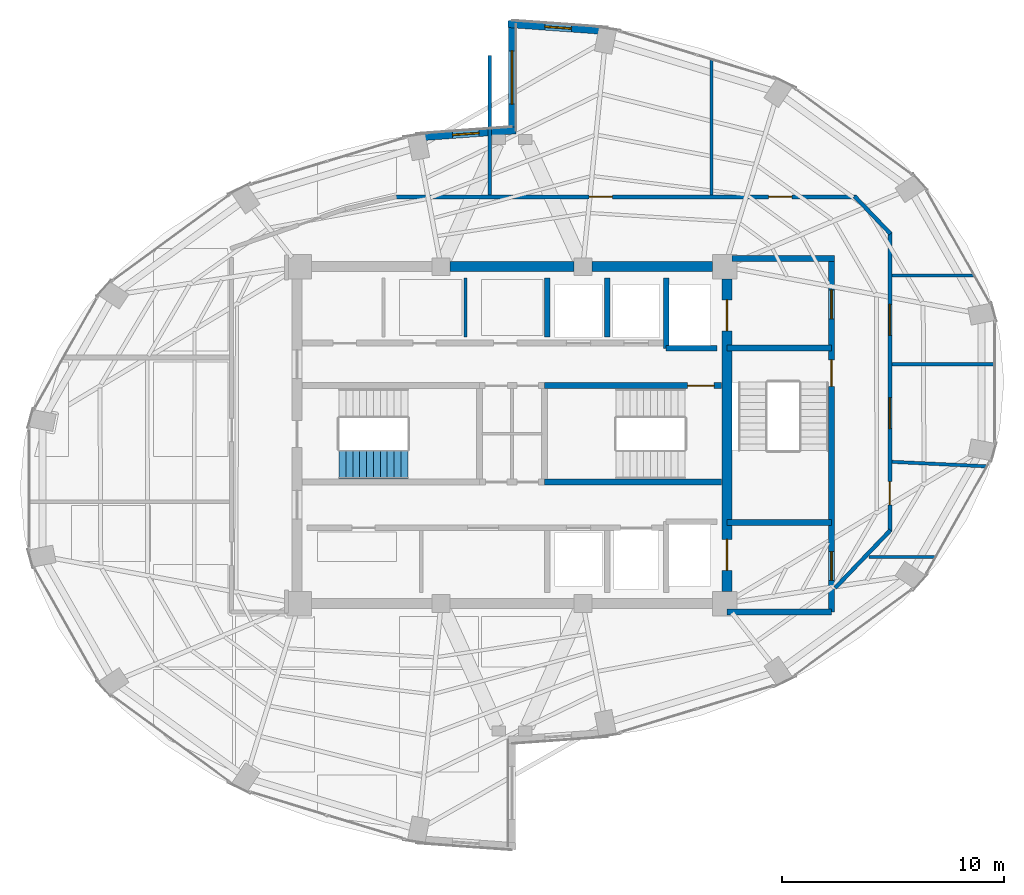
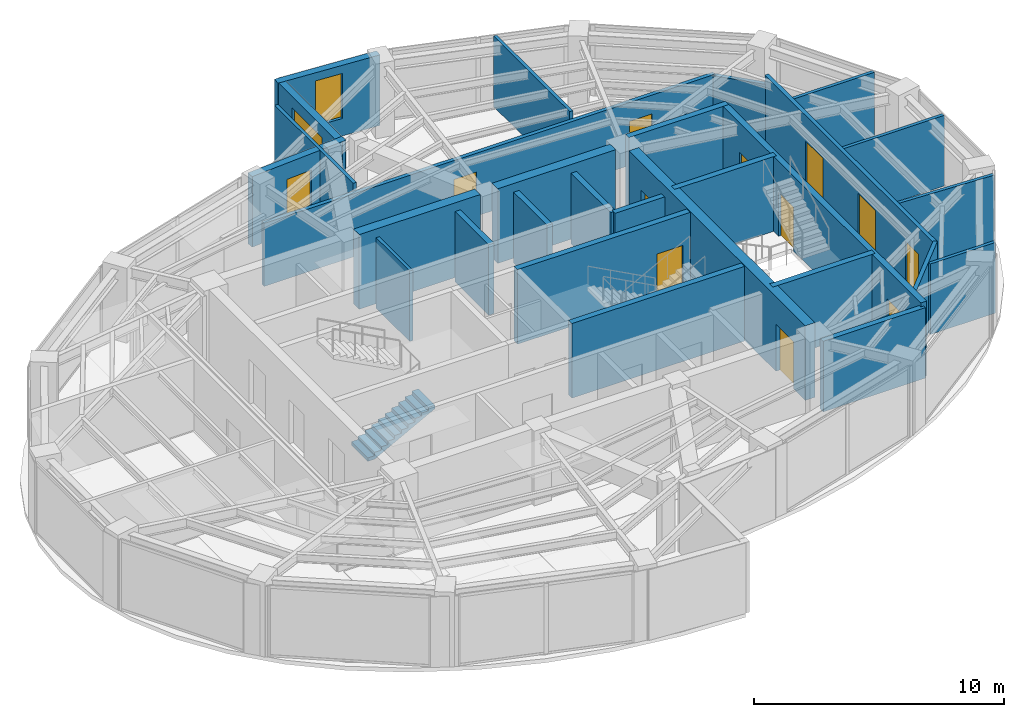
# One storey, part 20 of 23: 28 walls, 11 doors, 3 windows, 1 stair flight, 14 openings, 1 element without a shape of its own.
"""IFC4 building model written with IfcOpenShell, lengths in metres."""

from ifc_helpers import new_model, si_unit, direction, frame, frame_2d, origin, place, context, subcontext, project, spatial, polyline, rectangle, outline, extrude, material, layer, layer_set, type_object, element, fill, aggregate, save


model = new_model("IFC4")

# Units and contexts
model_context = context("Model", 3, precision=1e-05, world=origin(), true_north=direction((0.0, 1.0)))
body_context = subcontext(model_context, "Body", "Model", "MODEL_VIEW")
ifc_project = project(units=[si_unit("LENGTHUNIT", "METRE"), si_unit("AREAUNIT", "SQUARE_METRE"), si_unit("VOLUMEUNIT", "CUBIC_METRE"), si_unit("PLANEANGLEUNIT", "RADIAN"), si_unit("MASSUNIT", "GRAM", prefix="KILO")], contexts=[model_context])

# Site, building, storey
site_placement = place(None, origin())
site = spatial("IfcSite", under=ifc_project, at=site_placement, CompositionType="ELEMENT")
building_placement = place(site_placement, origin())
building = spatial("IfcBuilding", under=site, at=building_placement, Name="Lazwardi Medical Tower", CompositionType="ELEMENT")
storey_placement = place(building_placement, frame((0.0, 0.0, 262.320068359375)))
storey = spatial("IfcBuildingStorey", under=building, at=storey_placement, Name="L68", CompositionType="ELEMENT", Elevation=262.320068359375)

# Wall, openings, doors
ifc_material_1 = material(Name="Fire-rated gypsum board on steel stud", Category="steel")
ifc_layer_1 = layer(ifc_material_1, 0.179931640625)
ifc_layer_set_1 = layer_set([ifc_layer_1], Name="Fire-rated gypsum board on steel stud")
wall_type_1 = type_object("IfcWallType", Name="WL-COR-180", PredefinedType="PARTITIONING", material=ifc_layer_set_1)
wall_1_placement = place(storey_placement, frame((30.709716796875, 38.75, 0.0), z_axis=(0.0, 0.0, 1.0), x_axis=(1.0, 0.0, 0.0)))
wall_1 = element("IfcWall", 1, at=wall_1_placement, inside=storey, type_object=wall_type_1, Name="L68 Corridor partition 3", PredefinedType="PARTITIONING", context=body_context, shape_type="SweptSolid", body=[
    extrude(rectangle(XDim=20.8154296875, YDim=0.179931640625, at=frame_2d((10.40771484375, 0.0))), origin(), (0.0, 0.0, 1.0), 3.072998046875),
])
opening_1_placement = place(wall_1_placement, frame((16.868896484375, 0.0, 0.0)))
opening_1 = element("IfcOpeningElement", 2, at=opening_1_placement, cuts=wall_1, Name="Opening D-L68-018", PredefinedType="OPENING", context=body_context, shape_type="SweptSolid", body=[
    extrude(rectangle(XDim=1.050048828125, YDim=2.14990234375, at=frame_2d((0.52490234375, 1.074951171875))), frame((0.0, 0.099853515625, 0.0), z_axis=(0.0, -1.0, 0.0), x_axis=(1.0, 0.0, 0.0)), (0.0, 0.0, 1.0), 0.199951171875),
])
opening_2_placement = place(wall_1_placement, frame((8.76513671875, 0.0, 0.0)))
opening_2 = element("IfcOpeningElement", 3, at=opening_2_placement, cuts=wall_1, Name="Opening D-L68-019", PredefinedType="OPENING", context=body_context, shape_type="SweptSolid", body=[
    extrude(rectangle(XDim=1.050048828125, YDim=2.14990234375, at=frame_2d((0.52490234375, 1.074951171875))), frame((0.0, 0.099853515625, 0.0), z_axis=(0.0, -1.0, 0.0), x_axis=(1.0, 0.0, 0.0)), (0.0, 0.0, 1.0), 0.199951171875),
])
ifc_material_2 = material(Name="Anti-microbial laminate hospital leaf")
door_type_1 = type_object("IfcDoorType", Name="DR-CLN-1050", OperationType="NOTDEFINED", PredefinedType="DOOR", material=ifc_material_2)
door_1_placement = place(opening_1_placement, origin())
door_1 = element("IfcDoor", 4, at=door_1_placement, inside=storey, type_object=door_type_1, Name="L68 Medical Duty Staff Room Door 05", OperationType="SINGLE_SWING_RIGHT", OverallHeight=2.14990234375, OverallWidth=1.050048828125, PredefinedType="DOOR", context=body_context, shape_type="SweptSolid", body=[
    extrude(rectangle(XDim=1.050048828125, YDim=2.14990234375, at=frame_2d((0.52490234375, 1.074951171875))), frame((0.0, 0.02490234375, 0.0), z_axis=(0.0, -1.0, 0.0), x_axis=(1.0, 0.0, 0.0)), (0.0, 0.0, 1.0), 0.050048828125),
])
fill(opening_1, door_1)
door_2_placement = place(opening_2_placement, origin())
door_2 = element("IfcDoor", 5, at=door_2_placement, inside=storey, type_object=door_type_1, Name="L68 Medical Duty Staff Room Door 06", OperationType="SINGLE_SWING_LEFT", OverallHeight=2.14990234375, OverallWidth=1.050048828125, PredefinedType="DOOR", context=body_context, shape_type="SweptSolid", body=[
    extrude(rectangle(XDim=1.050048828125, YDim=2.14990234375, at=frame_2d((0.52490234375, 1.074951171875))), frame((0.0, 0.02490234375, 0.0), z_axis=(0.0, -1.0, 0.0), x_axis=(1.0, 0.0, 0.0)), (0.0, 0.0, 1.0), 0.050048828125),
])
fill(opening_2, door_2)

# Wall
wall_2_placement = place(storey_placement, frame((51.45751953125, 38.77880859375, 0.0), z_axis=(0.0, 0.0, 1.0), x_axis=(0.691359830363, -0.722510612352, 0.0)))
element("IfcWall", 6, at=wall_2_placement, inside=storey, type_object=wall_type_1, Name="L68 Corridor partition 4", PredefinedType="PARTITIONING", context=body_context, shape_type="SweptSolid", body=[
    extrude(rectangle(XDim=2.34326171875, YDim=0.179931640625, at=frame_2d((1.171630859375, 0.0))), origin(), (0.0, 0.0, 1.0), 3.032958984375),
])

# Wall, openings, doors
wall_3_placement = place(storey_placement, frame((53.050048828125, 37.154541015625, 0.0), z_axis=(0.0, 0.0, 1.0), x_axis=(0.0, -1.0, 0.0)))
wall_3 = element("IfcWall", 7, at=wall_3_placement, inside=storey, type_object=wall_type_1, Name="L68 Corridor partition 5", PredefinedType="PARTITIONING", context=body_context, shape_type="SweptSolid", body=[
    extrude(rectangle(XDim=13.509033203125, YDim=0.179931640625, at=frame_2d((6.75439453125, 0.0))), origin(), (0.0, 0.0, 1.0), 3.447998046875),
])
opening_3_placement = place(wall_3_placement, frame((11.24951171875, 0.0, 0.0)))
opening_3 = element("IfcOpeningElement", 8, at=opening_3_placement, cuts=wall_3, Name="Opening D-L68-015", PredefinedType="OPENING", context=body_context, shape_type="SweptSolid", body=[
    extrude(rectangle(XDim=1.050048828125, YDim=2.14990234375, at=frame_2d((0.52490234375, 1.074951171875))), frame((0.0, 0.099853515625, 0.0), z_axis=(0.0, -1.0, 0.0), x_axis=(1.0, 0.0, 0.0)), (0.0, 0.0, 1.0), 0.199951171875),
])
opening_4_placement = place(wall_3_placement, frame((7.45654296875, 0.0, 0.0)))
opening_4 = element("IfcOpeningElement", 9, at=opening_4_placement, cuts=wall_3, Name="Opening D-L68-016", PredefinedType="OPENING", context=body_context, shape_type="SweptSolid", body=[
    extrude(rectangle(XDim=1.39990234375, YDim=2.199951171875, at=frame_2d((0.699951171875, 1.10009765625))), frame((0.0, 0.099853515625, 0.0), z_axis=(0.0, -1.0, 0.0), x_axis=(1.0, 0.0, 0.0)), (0.0, 0.0, 1.0), 0.199951171875),
])
opening_5_placement = place(wall_3_placement, frame((3.25439453125, 0.0, 0.0)))
opening_5 = element("IfcOpeningElement", 10, at=opening_5_placement, cuts=wall_3, Name="Opening D-L68-017", PredefinedType="OPENING", context=body_context, shape_type="SweptSolid", body=[
    extrude(rectangle(XDim=1.39990234375, YDim=2.199951171875, at=frame_2d((0.699951171875, 1.10009765625))), frame((0.0, 0.099853515625, 0.0), z_axis=(0.0, -1.0, 0.0), x_axis=(1.0, 0.0, 0.0)), (0.0, 0.0, 1.0), 0.199951171875),
])
door_type_2 = type_object("IfcDoorType", Name="DR-BED-1400", OperationType="NOTDEFINED", PredefinedType="DOOR", material=ifc_material_2)
door_3_placement = place(opening_4_placement, origin())
door_3 = element("IfcDoor", 11, at=door_3_placement, inside=storey, type_object=door_type_2, Name="L68 Department Reception Foyer Door 03", OperationType="SINGLE_SWING_RIGHT", OverallHeight=2.199951171875, OverallWidth=1.39990234375, PredefinedType="DOOR", context=body_context, shape_type="SweptSolid", body=[
    extrude(rectangle(XDim=1.39990234375, YDim=2.199951171875, at=frame_2d((0.699951171875, 1.10009765625))), frame((0.0, 0.02490234375, 0.0), z_axis=(0.0, -1.0, 0.0), x_axis=(1.0, 0.0, 0.0)), (0.0, 0.0, 1.0), 0.050048828125),
])
fill(opening_4, door_3)
door_4_placement = place(opening_5_placement, origin())
door_4 = element("IfcDoor", 12, at=door_4_placement, inside=storey, type_object=door_type_2, Name="L68 Rehabilitation Gymnasium Door 04", OperationType="SINGLE_SWING_LEFT", OverallHeight=2.199951171875, OverallWidth=1.39990234375, PredefinedType="DOOR", context=body_context, shape_type="SweptSolid", body=[
    extrude(rectangle(XDim=1.39990234375, YDim=2.199951171875, at=frame_2d((0.699951171875, 1.10009765625))), frame((0.0, 0.02490234375, 0.0), z_axis=(0.0, -1.0, 0.0), x_axis=(1.0, 0.0, 0.0)), (0.0, 0.0, 1.0), 0.050048828125),
])
fill(opening_5, door_4)
door_5_placement = place(opening_3_placement, origin())
door_5 = element("IfcDoor", 13, at=door_5_placement, inside=storey, type_object=door_type_1, Name="L68 Outpatient Consultation Suite Door 02", OperationType="SINGLE_SWING_LEFT", OverallHeight=2.14990234375, OverallWidth=1.050048828125, PredefinedType="DOOR", context=body_context, shape_type="SweptSolid", body=[
    extrude(rectangle(XDim=1.050048828125, YDim=2.14990234375, at=frame_2d((0.52490234375, 1.074951171875))), frame((0.0, 0.02490234375, 0.0), z_axis=(0.0, -1.0, 0.0), x_axis=(1.0, 0.0, 0.0)), (0.0, 0.0, 1.0), 0.050048828125),
])
fill(opening_3, door_5)

# Wall
wall_4_placement = place(storey_placement, frame((53.07763671875, 23.71435546875, 0.0), z_axis=(0.0, 0.0, 1.0), x_axis=(-0.691353379446, -0.722516785085, 0.0)))
element("IfcWall", 14, at=wall_4_placement, inside=storey, type_object=wall_type_1, Name="L68 Corridor partition 6", PredefinedType="PARTITIONING", context=body_context, shape_type="SweptSolid", body=[
    extrude(rectangle(XDim=3.603759765625, YDim=0.179931640625, at=frame_2d((1.8017578125, 0.0))), origin(), (0.0, 0.0, 1.0), 3.447998046875),
])

# Wall, openings, doors
ifc_material_3 = material(Name="Concrete C60/75", Category="concrete")
ifc_layer_2 = layer(ifc_material_3, 0.449951171875)
ifc_layer_set_2 = layer_set([ifc_layer_2], Name="Concrete C60/75")
wall_type_2 = type_object("IfcWallType", Name="WL-CORE-450", PredefinedType="SHEAR", material=ifc_layer_set_2)
wall_5_placement = place(storey_placement, frame((45.699951171875, 20.949951171875, 0.0), z_axis=(0.0, 0.0, 1.0), x_axis=(0.0, 1.0, 0.0)))
wall_5 = element("IfcWall", 15, at=wall_5_placement, inside=storey, type_object=wall_type_2, Name="Core wall CW-S4 east L68", PredefinedType="SHEAR", context=body_context, shape_type="SweptSolid", body=[
    extrude(rectangle(XDim=14.10009765625, YDim=0.449951171875, at=frame_2d((7.050048828125, 0.0))), origin(), (0.0, 0.0, 1.0), 3.64794921875),
])
opening_6_placement = place(wall_5_placement, frame((11.75, 0.0, 0.0)))
opening_6 = element("IfcOpeningElement", 16, at=opening_6_placement, cuts=wall_5, Name="Opening LD-L68-001", PredefinedType="OPENING", context=body_context, shape_type="SweptSolid", body=[
    extrude(rectangle(XDim=1.39990234375, YDim=2.300048828125, at=frame_2d((0.699951171875, 1.14990234375))), frame((0.0, 0.23486328125, 0.0), z_axis=(0.0, -1.0, 0.0), x_axis=(1.0, 0.0, 0.0)), (0.0, 0.0, 1.0), 0.469970703125),
])
opening_7_placement = place(wall_5_placement, frame((0.949951171875, 0.0, 0.0)))
opening_7 = element("IfcOpeningElement", 17, at=opening_7_placement, cuts=wall_5, Name="Opening LD-L68-002", PredefinedType="OPENING", context=body_context, shape_type="SweptSolid", body=[
    extrude(rectangle(XDim=1.39990234375, YDim=2.300048828125, at=frame_2d((0.699951171875, 1.14990234375))), frame((0.0, 0.23486328125, 0.0), z_axis=(0.0, -1.0, 0.0), x_axis=(1.0, 0.0, 0.0)), (0.0, 0.0, 1.0), 0.469970703125),
])
ifc_material_4 = material(Name="Brushed stainless steel bed-lift landing door", Category="steel")
door_type_3 = type_object("IfcDoorType", Name="DR-LFT-1400", OperationType="NOTDEFINED", PredefinedType="DOOR", material=ifc_material_4)
door_6_placement = place(opening_6_placement, origin())
door_6 = element("IfcDoor", 18, at=door_6_placement, inside=storey, type_object=door_type_3, Name="L68 Lift Landing Door FL-01", OperationType="SLIDING_TO_LEFT", OverallHeight=2.300048828125, OverallWidth=1.39990234375, PredefinedType="DOOR", context=body_context, shape_type="SweptSolid", body=[
    extrude(rectangle(XDim=1.39990234375, YDim=2.300048828125, at=frame_2d((0.699951171875, 1.14990234375))), frame((0.0, 0.02490234375, 0.0), z_axis=(0.0, -1.0, 0.0), x_axis=(1.0, 0.0, 0.0)), (0.0, 0.0, 1.0), 0.050048828125),
])
fill(opening_6, door_6)
door_7_placement = place(opening_7_placement, origin())
door_7 = element("IfcDoor", 19, at=door_7_placement, inside=storey, type_object=door_type_3, Name="L68 Lift Landing Door FL-02", OperationType="SLIDING_TO_LEFT", OverallHeight=2.300048828125, OverallWidth=1.39990234375, PredefinedType="DOOR", context=body_context, shape_type="SweptSolid", body=[
    extrude(rectangle(XDim=1.39990234375, YDim=2.300048828125, at=frame_2d((0.699951171875, 1.14990234375))), frame((0.0, 0.02490234375, 0.0), z_axis=(0.0, -1.0, 0.0), x_axis=(1.0, 0.0, 0.0)), (0.0, 0.0, 1.0), 0.050048828125),
])
fill(opening_7, door_7)

# Walls
wall_6_placement = place(storey_placement, frame((33.199951171875, 35.60009765625, 0.0), z_axis=(0.0, 0.0, 1.0), x_axis=(1.0, 0.0, 0.0)))
element("IfcWall", 20, at=wall_6_placement, inside=storey, type_object=wall_type_2, Name="Core wall CW-S4 N2 L68", PredefinedType="SHEAR", context=body_context, shape_type="SweptSolid", body=[
    extrude(rectangle(XDim=5.60009765625, YDim=0.449951171875, at=frame_2d((2.800048828125, 0.0))), origin(), (0.0, 0.0, 1.0), 3.64794921875),
])
wall_7_placement = place(storey_placement, frame((39.60009765625, 35.60009765625, 0.0), z_axis=(0.0, 0.0, 1.0), x_axis=(1.0, 0.0, 0.0)))
element("IfcWall", 21, at=wall_7_placement, inside=storey, type_object=wall_type_2, Name="Core wall CW-S4 N3 L68", PredefinedType="SHEAR", context=body_context, shape_type="SweptSolid", body=[
    extrude(rectangle(XDim=5.449951171875, YDim=0.449951171875, at=frame_2d((2.72509765625, 0.0))), origin(), (0.0, 0.0, 1.0), 3.64794921875),
])

# Wall, opening, window
ifc_material_5 = material(Name="Precast concrete C45/55", Category="concrete")
ifc_layer_3 = layer(ifc_material_5, 0.320068359375)
ifc_layer_set_3 = layer_set([ifc_layer_3], Name="Precast concrete C45/55")
wall_type_3 = type_object("IfcWallType", Name="WL-IWAN-320", PredefinedType="SOLIDWALL", material=ifc_layer_set_3)
wall_8_placement = place(storey_placement, frame((40.349609375, 46.226318359375, 0.0), z_axis=(0.0, 0.0, 1.0), x_axis=(-0.997409061056, 0.071938619141, 0.0)))
wall_8 = element("IfcWall", 22, at=wall_8_placement, inside=storey, type_object=wall_type_3, Name="L68 Iwan Portal Return Wall NE_ret", PredefinedType="SOLIDWALL", context=body_context, shape_type="SweptSolid", body=[
    extrude(rectangle(XDim=4.540771484375, YDim=0.320068359375, at=frame_2d((2.2705078125, 0.0))), origin(), (0.0, 0.0, 1.0), 3.447998046875),
])
opening_8_placement = place(wall_8_placement, frame((1.67041015625, 0.0, 0.85009765625)))
opening_8 = element("IfcOpeningElement", 23, at=opening_8_placement, cuts=wall_8, Name="Opening WN-01", PredefinedType="OPENING", context=body_context, shape_type="SweptSolid", body=[
    extrude(rectangle(XDim=1.199951171875, YDim=2.199951171875, at=frame_2d((0.60009765625, 1.10009765625))), frame((0.0, 0.169921875, 0.0), z_axis=(0.0, -1.0, 0.0), x_axis=(1.0, 0.0, 0.0)), (0.0, 0.0, 1.0), 0.340087890625),
])
ifc_material_6 = material(Name="Low-e bronze solar control double glazing", Category="glass")
window_type_1 = type_object("IfcWindowType", Name="WIN-IW-1200", PartitioningType="SINGLE_PANEL", PredefinedType="WINDOW", material=ifc_material_6)
window_1_placement = place(opening_8_placement, origin())
window_1 = element("IfcWindow", 24, at=window_1_placement, inside=storey, type_object=window_type_1, Name="L68 Iwan Slot Window NE_ret", OverallHeight=2.199951171875, OverallWidth=1.199951171875, PartitioningType="SINGLE_PANEL", PredefinedType="WINDOW", context=body_context, shape_type="SweptSolid", body=[
    extrude(rectangle(XDim=1.199951171875, YDim=2.199951171875, at=frame_2d((0.60009765625, 1.10009765625))), frame((0.0, 0.030029296875, 0.0), z_axis=(0.0, -1.0, 0.0), x_axis=(1.0, 0.0, 0.0)), (0.0, 0.0, 1.0), 0.06005859375),
])
fill(opening_8, window_1)

wall_9_placement = place(storey_placement, frame((36.17919921875, 41.7529296875, 0.0), z_axis=(0.0, 0.0, 1.0), x_axis=(-0.997408782787, -0.071942477163, 0.0)))
wall_9 = element("IfcWall", 25, at=wall_9_placement, inside=storey, type_object=wall_type_3, Name="L68 Iwan Portal Return Wall NW_ret", PredefinedType="SOLIDWALL", context=body_context, shape_type="SweptSolid", body=[
    extrude(rectangle(XDim=4.54052734375, YDim=0.320068359375, at=frame_2d((2.270263671875, 0.0))), origin(), (0.0, 0.0, 1.0), 3.447998046875),
])
opening_9_placement = place(wall_9_placement, frame((1.67041015625, 0.0, 0.85009765625)))
opening_9 = element("IfcOpeningElement", 26, at=opening_9_placement, cuts=wall_9, Name="Opening WN-04", PredefinedType="OPENING", context=body_context, shape_type="SweptSolid", body=[
    extrude(rectangle(XDim=1.199951171875, YDim=1.800048828125, at=frame_2d((0.60009765625, 0.89990234375))), frame((0.0, 0.169921875, 0.0), z_axis=(0.0, -1.0, 0.0), x_axis=(1.0, 0.0, 0.0)), (0.0, 0.0, 1.0), 0.340087890625),
])
window_type_2 = type_object("IfcWindowType", Name="WIN-DRUM-1200", PartitioningType="SINGLE_PANEL", PredefinedType="WINDOW", material=ifc_material_6)
window_2_placement = place(opening_9_placement, origin())
window_2 = element("IfcWindow", 27, at=window_2_placement, inside=storey, type_object=window_type_2, Name="L68 Iwan Slot Window NW_ret", OverallHeight=1.800048828125, OverallWidth=1.199951171875, PartitioningType="SINGLE_PANEL", PredefinedType="WINDOW", context=body_context, shape_type="SweptSolid", body=[
    extrude(rectangle(XDim=1.199951171875, YDim=1.800048828125, at=frame_2d((0.60009765625, 0.89990234375))), frame((0.0, 0.030029296875, 0.0), z_axis=(0.0, -1.0, 0.0), x_axis=(1.0, 0.0, 0.0)), (0.0, 0.0, 1.0), 0.06005859375),
])
fill(opening_9, window_2)

wall_10_placement = place(storey_placement, frame((36.0, 46.699951171875, 0.0), z_axis=(0.0, 0.0, 1.0), x_axis=(0.0, -1.0, 0.0)))
wall_10 = element("IfcWall", 28, at=wall_10_placement, inside=storey, type_object=wall_type_3, Name="L68 Turquoise Tilework Iwan Seam Wall N_seam", PredefinedType="SOLIDWALL", context=body_context, shape_type="SweptSolid", body=[
    extrude(rectangle(XDim=5.119873046875, YDim=0.320068359375, at=frame_2d((2.56005859375, 0.0))), origin(), (0.0, 0.0, 1.0), 3.447998046875),
])
opening_10_placement = place(wall_10_placement, frame((1.360107421875, 0.0, 0.840087890625)))
opening_10 = element("IfcOpeningElement", 29, at=opening_10_placement, cuts=wall_10, Name="Opening WN-02", PredefinedType="OPENING", context=body_context, shape_type="SweptSolid", body=[
    extrude(rectangle(XDim=2.39990234375, YDim=2.0400390625, at=frame_2d((1.199951171875, 1.02001953125))), frame((0.0, 0.169921875, 0.0), z_axis=(0.0, -1.0, 0.0), x_axis=(1.0, 0.0, 0.0)), (0.0, 0.0, 1.0), 0.340087890625),
])
window_type_3 = type_object("IfcWindowType", Name="WIN-IW-2400", PartitioningType="SINGLE_PANEL", PredefinedType="WINDOW", material=ifc_material_6)
window_3_placement = place(opening_10_placement, origin())
window_3 = element("IfcWindow", 30, at=window_3_placement, inside=storey, type_object=window_type_3, Name="L68 Iwan Seam Window N_seam", OverallHeight=2.0400390625, OverallWidth=2.39990234375, PartitioningType="SINGLE_PANEL", PredefinedType="WINDOW", context=body_context, shape_type="SweptSolid", body=[
    extrude(rectangle(XDim=2.39990234375, YDim=2.0400390625, at=frame_2d((1.199951171875, 1.02001953125))), frame((0.0, 0.030029296875, 0.0), z_axis=(0.0, -1.0, 0.0), x_axis=(1.0, 0.0, 0.0)), (0.0, 0.0, 1.0), 0.06005859375),
])
fill(opening_10, window_3)

# Walls
ifc_material_7 = material(Name="Autoclaved aerated concrete blockwork", Category="masonry")
ifc_layer_4 = layer(ifc_material_7, 0.25)
ifc_layer_set_4 = layer_set([ifc_layer_4], Name="Autoclaved aerated concrete blockwork")
wall_type_4 = type_object("IfcWallType", Name="WL-SHAFT-250", PredefinedType="SOLIDWALL", material=ifc_layer_set_4)
wall_11_placement = place(storey_placement, frame((42.949951171875, 31.919921875, 0.0), z_axis=(0.0, 0.0, 1.0), x_axis=(0.0, 1.0, 0.0)))
element("IfcWall", 31, at=wall_11_placement, inside=storey, type_object=wall_type_4, Name="L68 FL-01 West shaft wall", PredefinedType="SOLIDWALL", context=body_context, shape_type="SweptSolid", body=[
    extrude(rectangle(XDim=3.18017578125, YDim=0.25, at=frame_2d((1.590087890625, 0.0))), origin(), (0.0, 0.0, 1.0), 3.447998046875),
])
wall_12_placement = place(storey_placement, frame((42.949951171875, 31.919921875, 0.0), z_axis=(0.0, 0.0, 1.0), x_axis=(1.0, 0.0, 0.0)))
element("IfcWall", 32, at=wall_12_placement, inside=storey, type_object=wall_type_4, Name="L68 FL-01 South shaft wall", PredefinedType="SOLIDWALL", context=body_context, shape_type="SweptSolid", body=[
    extrude(rectangle(XDim=2.300048828125, YDim=0.25, at=frame_2d((1.14990234375, 0.0))), origin(), (0.0, 0.0, 1.0), 3.447998046875),
])
for number, where, z_axis, x_axis, name in (
    (33, (37.60009765625, 32.419921875, 0.0), (0.0, 0.0, 1.0), (0.0, 1.0, 0.0), "L68 North hoistway divider"),
    (34, (40.300048828125, 32.419921875, 0.0), (0.0, 0.0, 1.0), (0.0, 1.0, 0.0), "L68 North hoistway divider"),
):
    element("IfcWall", number, at=place(storey_placement, frame(where, z_axis=z_axis, x_axis=x_axis)), inside=storey, type_object=wall_type_4, Name=name, PredefinedType="SOLIDWALL", context=body_context, shape_type="SweptSolid", body=[
        extrude(rectangle(XDim=2.68017578125, YDim=0.25, at=frame_2d((1.340087890625, 0.0))), origin(), (0.0, 0.0, 1.0), 3.447998046875),
    ])
wall_13_placement = place(storey_placement, frame((45.699951171875, 20.02001953125, 0.0), z_axis=(0.0, 0.0, 1.0), x_axis=(1.0, 0.0, 0.0)))
element("IfcWall", 35, at=wall_13_placement, inside=storey, type_object=wall_type_4, Name="L68 FFL-S South wall", PredefinedType="SOLIDWALL", context=body_context, shape_type="SweptSolid", body=[
    extrude(rectangle(XDim=4.715087890625, YDim=0.25, at=frame_2d((2.357421875, 0.0))), origin(), (0.0, 0.0, 1.0), 3.447998046875),
])

# Wall, opening, door
ifc_material_8 = material(Name="Concrete C50/60", Category="concrete")
ifc_layer_5 = layer(ifc_material_8, 0.27001953125)
ifc_layer_set_5 = layer_set([ifc_layer_5], Name="Concrete C50/60")
wall_type_5 = type_object("IfcWallType", Name="WL-STR-250", PredefinedType="SHEAR", material=ifc_layer_set_5)
wall_14_placement = place(storey_placement, frame((37.465087890625, 30.235107421875, 0.0), z_axis=(0.0, 0.0, 1.0), x_axis=(1.0, 0.0, 0.0)))
wall_14 = element("IfcWall", 36, at=wall_14_placement, inside=storey, type_object=wall_type_5, Name="L68 ST2 North shear shaft wall SW-S1", PredefinedType="SHEAR", context=body_context, shape_type="SweptSolid", body=[
    extrude(rectangle(XDim=7.98486328125, YDim=0.27001953125, at=frame_2d((3.992431640625, 0.0))), origin(), (0.0, 0.0, 1.0), 3.64794921875),
])
opening_11_placement = place(wall_14_placement, frame((6.455078125, 0.0, 0.0)))
opening_11 = element("IfcOpeningElement", 37, at=opening_11_placement, cuts=wall_14, Name="Opening D-L68-023", PredefinedType="OPENING", context=body_context, shape_type="SweptSolid", body=[
    extrude(rectangle(XDim=1.199951171875, YDim=2.14990234375, at=frame_2d((0.60009765625, 1.074951171875))), frame((0.0, 0.14501953125, 0.0), z_axis=(0.0, -1.0, 0.0), x_axis=(1.0, 0.0, 0.0)), (0.0, 0.0, 1.0), 0.2900390625),
])
ifc_material_9 = material(Name="Fire-rated steel leaf and frame", Category="steel")
door_type_4 = type_object("IfcDoorType", Name="DR-STR-1200", OperationType="NOTDEFINED", PredefinedType="DOOR", material=ifc_material_9)
door_8_placement = place(opening_11_placement, origin())
door_8 = element("IfcDoor", 38, at=door_8_placement, inside=storey, type_object=door_type_4, Name="L68 Exit Stair ST2 Door", OperationType="SINGLE_SWING_LEFT", OverallHeight=2.14990234375, OverallWidth=1.199951171875, PredefinedType="DOOR", context=body_context, shape_type="SweptSolid", body=[
    extrude(rectangle(XDim=1.199951171875, YDim=2.14990234375, at=frame_2d((0.60009765625, 1.074951171875))), frame((0.0, 0.02490234375, 0.0), z_axis=(0.0, -1.0, 0.0), x_axis=(1.0, 0.0, 0.0)), (0.0, 0.0, 1.0), 0.050048828125),
])
fill(opening_11, door_8)

# Wall
wall_15_placement = place(storey_placement, frame((37.465087890625, 25.885009765625, 0.0), z_axis=(0.0, 0.0, 1.0), x_axis=(1.0, 0.0, 0.0)))
element("IfcWall", 39, at=wall_15_placement, inside=storey, type_object=wall_type_5, Name="L68 ST2 South shear shaft wall SW-S1", PredefinedType="SHEAR", context=body_context, shape_type="SweptSolid", body=[
    extrude(rectangle(XDim=7.98486328125, YDim=0.27001953125, at=frame_2d((3.992431640625, 0.0))), origin(), (0.0, 0.0, 1.0), 3.64794921875),
])

# Wall, openings, doors
wall_16_placement = place(storey_placement, frame((50.4150390625, 35.844970703125, 0.0), z_axis=(0.0, 0.0, 1.0), x_axis=(0.0, -1.0, 0.0)))
wall_16 = element("IfcWall", 40, at=wall_16_placement, inside=storey, type_object=wall_type_5, Name="L68 East ST3 & FFL shear wall SW-S1", PredefinedType="SHEAR", context=body_context, shape_type="SweptSolid", body=[
    extrude(rectangle(XDim=15.824951171875, YDim=0.27001953125, at=frame_2d((7.91259765625, 0.0))), origin(), (0.0, 0.0, 1.0), 3.64794921875),
])
opening_12_placement = place(wall_16_placement, frame((4.445068359375, 0.0, 0.0)))
opening_12 = element("IfcOpeningElement", 41, at=opening_12_placement, cuts=wall_16, Name="Opening D-L68-024", PredefinedType="OPENING", context=body_context, shape_type="SweptSolid", body=[
    extrude(rectangle(XDim=1.199951171875, YDim=2.14990234375, at=frame_2d((0.60009765625, 1.074951171875))), frame((0.0, 0.14501953125, 0.0), z_axis=(0.0, -1.0, 0.0), x_axis=(1.0, 0.0, 0.0)), (0.0, 0.0, 1.0), 0.2900390625),
])
opening_13_placement = place(wall_16_placement, frame((1.294921875, 0.0, 0.0)))
opening_13 = element("IfcOpeningElement", 42, at=opening_13_placement, cuts=wall_16, Name="Opening D-L68-010", PredefinedType="OPENING", context=body_context, shape_type="SweptSolid", body=[
    extrude(rectangle(XDim=1.300048828125, YDim=2.199951171875, at=frame_2d((0.64990234375, 1.10009765625))), frame((0.0, 0.14501953125, 0.0), z_axis=(0.0, -1.0, 0.0), x_axis=(1.0, 0.0, 0.0)), (0.0, 0.0, 1.0), 0.2900390625),
])
opening_14_placement = place(wall_16_placement, frame((13.094970703125, 0.0, 0.0)))
opening_14 = element("IfcOpeningElement", 43, at=opening_14_placement, cuts=wall_16, Name="Opening D-L68-011", PredefinedType="OPENING", context=body_context, shape_type="SweptSolid", body=[
    extrude(rectangle(XDim=1.300048828125, YDim=2.199951171875, at=frame_2d((0.64990234375, 1.10009765625))), frame((0.0, 0.14501953125, 0.0), z_axis=(0.0, -1.0, 0.0), x_axis=(1.0, 0.0, 0.0)), (0.0, 0.0, 1.0), 0.2900390625),
])
door_type_5 = type_object("IfcDoorType", Name="DR-FFL-1300", OperationType="NOTDEFINED", PredefinedType="DOOR", material=ifc_material_9)
door_9_placement = place(opening_13_placement, origin())
door_9 = element("IfcDoor", 44, at=door_9_placement, inside=storey, type_object=door_type_5, Name="L68 Fire-Fighting Lobby North Door", OperationType="SINGLE_SWING_RIGHT", OverallHeight=2.199951171875, OverallWidth=1.300048828125, PredefinedType="DOOR", context=body_context, shape_type="SweptSolid", body=[
    extrude(rectangle(XDim=1.300048828125, YDim=2.199951171875, at=frame_2d((0.64990234375, 1.10009765625))), frame((0.0, 0.02490234375, 0.0), z_axis=(0.0, -1.0, 0.0), x_axis=(1.0, 0.0, 0.0)), (0.0, 0.0, 1.0), 0.050048828125),
])
fill(opening_13, door_9)
door_10_placement = place(opening_14_placement, origin())
door_10 = element("IfcDoor", 45, at=door_10_placement, inside=storey, type_object=door_type_5, Name="L68 Fire-Fighting Lobby South Door", OperationType="SINGLE_SWING_LEFT", OverallHeight=2.199951171875, OverallWidth=1.300048828125, PredefinedType="DOOR", context=body_context, shape_type="SweptSolid", body=[
    extrude(rectangle(XDim=1.300048828125, YDim=2.199951171875, at=frame_2d((0.64990234375, 1.10009765625))), frame((0.0, 0.02490234375, 0.0), z_axis=(0.0, -1.0, 0.0), x_axis=(1.0, 0.0, 0.0)), (0.0, 0.0, 1.0), 0.050048828125),
])
fill(opening_14, door_10)
door_11_placement = place(opening_12_placement, origin())
door_11 = element("IfcDoor", 46, at=door_11_placement, inside=storey, type_object=door_type_4, Name="L68 Exit Stair ST3 Door", OperationType="SINGLE_SWING_LEFT", OverallHeight=2.14990234375, OverallWidth=1.199951171875, PredefinedType="DOOR", context=body_context, shape_type="SweptSolid", body=[
    extrude(rectangle(XDim=1.199951171875, YDim=2.14990234375, at=frame_2d((0.60009765625, 1.074951171875))), frame((0.0, 0.02490234375, 0.0), z_axis=(0.0, -1.0, 0.0), x_axis=(1.0, 0.0, 0.0)), (0.0, 0.0, 1.0), 0.050048828125),
])
fill(opening_12, door_11)

# Walls
wall_17_placement = place(storey_placement, frame((45.925048828125, 35.97998046875, 0.0), z_axis=(0.0, 0.0, 1.0), x_axis=(1.0, 0.0, 0.0)))
element("IfcWall", 47, at=wall_17_placement, inside=storey, type_object=wall_type_5, Name="L68 FFL-N North shear wall SW-S1", PredefinedType="SHEAR", context=body_context, shape_type="SweptSolid", body=[
    extrude(rectangle(XDim=4.625, YDim=0.27001953125, at=frame_2d((2.3125, 0.0))), origin(), (0.0, 0.0, 1.0), 3.64794921875),
])
for number, where, z_axis, x_axis, name in (
    (48, (45.699951171875, 31.93505859375, 0.0), (0.0, 0.0, 1.0), (1.0, 0.0, 0.0), "L68 ST3 North shear shaft wall SW-S1"),
    (49, (45.699951171875, 24.06494140625, 0.0), (0.0, 0.0, 1.0), (1.0, 0.0, 0.0), "L68 ST3 South shear shaft wall SW-S1"),
):
    element("IfcWall", number, at=place(storey_placement, frame(where, z_axis=z_axis, x_axis=x_axis)), inside=storey, type_object=wall_type_5, Name=name, PredefinedType="SHEAR", context=body_context, shape_type="SweptSolid", body=[
        extrude(rectangle(XDim=4.715087890625, YDim=0.27001953125, at=frame_2d((2.357421875, 0.0))), origin(), (0.0, 0.0, 1.0), 3.64794921875),
    ])
ifc_material_10 = material(Name="Acoustic gypsum board partition")
ifc_layer_6 = layer(ifc_material_10, 0.14990234375)
ifc_layer_set_6 = layer_set([ifc_layer_6], Name="Acoustic gypsum board partition")
wall_type_6 = type_object("IfcWallType", Name="WL-WRD-150", PredefinedType="PARTITIONING", material=ifc_layer_set_6)
wall_18_placement = place(storey_placement, frame((33.89990234375, 32.419921875, 0.0), z_axis=(0.0, 0.0, 1.0), x_axis=(0.0, 1.0, 0.0)))
element("IfcWall", 50, at=wall_18_placement, inside=storey, type_object=wall_type_6, Name="L68 Freed bay2 N split B", PredefinedType="PARTITIONING", context=body_context, shape_type="SweptSolid", body=[
    extrude(rectangle(XDim=2.68017578125, YDim=0.14990234375, at=frame_2d((1.340087890625, 0.0))), origin(), (0.0, 0.0, 1.0), 3.447998046875),
])
wall_19_placement = place(storey_placement, frame((52.101806640625, 22.5, 0.0), z_axis=(0.0, 0.0, 1.0), x_axis=(1.0, 0.0, 0.0)))
element("IfcWall", 51, at=wall_19_placement, inside=storey, type_object=wall_type_6, Name="L68 Room partition 3", PredefinedType="PARTITIONING", context=body_context, shape_type="SweptSolid", body=[
    extrude(rectangle(XDim=3.003173828125, YDim=0.14990234375, at=frame_2d((1.50146484375, 0.0))), origin(), (0.0, 0.0, 1.0), 3.447998046875),
])
wall_20_placement = place(storey_placement, frame((53.139892578125, 26.79638671875, 0.0), z_axis=(0.0, 0.0, 1.0), x_axis=(0.998865822675, -0.04761374058, 0.0)))
element("IfcWall", 52, at=wall_20_placement, inside=storey, type_object=wall_type_6, Name="L68 Room partition 4", PredefinedType="PARTITIONING", context=body_context, shape_type="SweptSolid", body=[
    extrude(rectangle(XDim=4.296875, YDim=0.14990234375, at=frame_2d((2.1484375, 0.0))), origin(), (0.0, 0.0, 1.0), 3.447998046875),
])
wall_21_placement = place(storey_placement, frame((53.139892578125, 31.199951171875, 0.0), z_axis=(0.0, 0.0, 1.0), x_axis=(1.0, 0.0, 0.0)))
element("IfcWall", 53, at=wall_21_placement, inside=storey, type_object=wall_type_6, Name="L68 Room partition 5", PredefinedType="PARTITIONING", context=body_context, shape_type="SweptSolid", body=[
    extrude(rectangle(XDim=4.6318359375, YDim=0.14990234375, at=frame_2d((2.31591796875, 0.0))), origin(), (0.0, 0.0, 1.0), 3.447998046875),
])
wall_22_placement = place(storey_placement, frame((53.139892578125, 35.199951171875, 0.0), z_axis=(0.0, 0.0, 1.0), x_axis=(1.0, 0.0, 0.0)))
element("IfcWall", 54, at=wall_22_placement, inside=storey, type_object=wall_type_6, Name="L68 Room partition 6", PredefinedType="PARTITIONING", context=body_context, shape_type="SweptSolid", body=[
    extrude(rectangle(XDim=3.716796875, YDim=0.14990234375, at=frame_2d((1.8583984375, 0.0))), origin(), (0.0, 0.0, 1.0), 3.447998046875),
])
wall_23_placement = place(storey_placement, frame((35.0, 38.840087890625, 0.0), z_axis=(0.0, 0.0, 1.0), x_axis=(0.0, 1.0, 0.0)))
element("IfcWall", 55, at=wall_23_placement, inside=storey, type_object=wall_type_6, Name="L68 Room partition 7", PredefinedType="PARTITIONING", context=body_context, shape_type="SweptSolid", body=[
    extrude(rectangle(XDim=6.284423828125, YDim=0.14990234375, at=frame_2d((3.14208984375, 0.0))), origin(), (0.0, 0.0, 1.0), 3.447998046875),
])
wall_24_placement = place(storey_placement, frame((45.0, 38.840087890625, 0.0), z_axis=(0.0, 0.0, 1.0), x_axis=(0.0, 1.0, 0.0)))
element("IfcWall", 56, at=wall_24_placement, inside=storey, type_object=wall_type_6, Name="L68 Room partition 8", PredefinedType="PARTITIONING", context=body_context, shape_type="SweptSolid", body=[
    extrude(rectangle(XDim=6.0966796875, YDim=0.14990234375, at=frame_2d((3.04833984375, 0.0))), origin(), (0.0, 0.0, 1.0), 3.447998046875),
])

# Stair, stair flight
ifc_material_11 = material(Name="Concrete C45/55", Category="concrete")
stair_type = type_object("IfcStairType", Name="STR-WRD", PredefinedType="HALF_TURN_STAIR", material=ifc_material_11)
stair_placement = place(storey_placement, origin())
stair = element("IfcStair", 57, at=stair_placement, inside=storey, type_object=stair_type, Name="L68 Protected Exit Stair ST1", PredefinedType="HALF_TURN_STAIR")
stair_flight_type = type_object("IfcStairFlightType", Name="FLT-WRD", PredefinedType="STRAIGHT", material=ifc_material_11)
stair_flight_placement = place(storey_placement, frame((28.199951171875, 26.679931640625, 0.0), z_axis=(0.0, 0.0, 1.0), x_axis=(1.0, 0.0, 0.0)))
stair_flight = element("IfcStairFlight", 58, at=stair_flight_placement, type_object=stair_flight_type, Name="ST1 flight 1", NumberOfRisers=11, NumberOfTreads=10, PredefinedType="STRAIGHT", RiserHeight=0.165818182, TreadLength=0.31, context=body_context, shape_type="SweptSolid", body=[
    extrude(outline(polyline([(0.0, 0.0), (0.0, 0.165771484375), (0.31005859375, 0.165771484375), (0.31005859375, 0.33154296875), (0.6201171875, 0.33154296875), (0.6201171875, 0.49755859375), (0.929931640625, 0.49755859375), (0.929931640625, 0.663330078125), (1.239990234375, 0.663330078125), (1.239990234375, 0.8291015625), (1.550048828125, 0.8291015625), (1.550048828125, 0.994873046875), (1.860107421875, 0.994873046875), (1.860107421875, 1.16064453125), (2.169921875, 1.16064453125), (2.169921875, 1.32666015625), (2.47998046875, 1.32666015625), (2.47998046875, 1.492431640625), (2.7900390625, 1.492431640625), (2.7900390625, 1.658203125), (3.10009765625, 1.658203125), (3.10009765625, 1.823974609375), (3.10009765625, 1.48828125), (0.31787109375, 0.0), (0.0, 0.0)])), frame((0.0, 0.66015625, 0.0), z_axis=(0.0, -1.0, 0.0), x_axis=(1.0, 0.0, 0.0)), (0.0, 0.0, 1.0), 1.320068359375),
])
aggregate(stair, [stair_flight])

save(model, "model.ifc")
